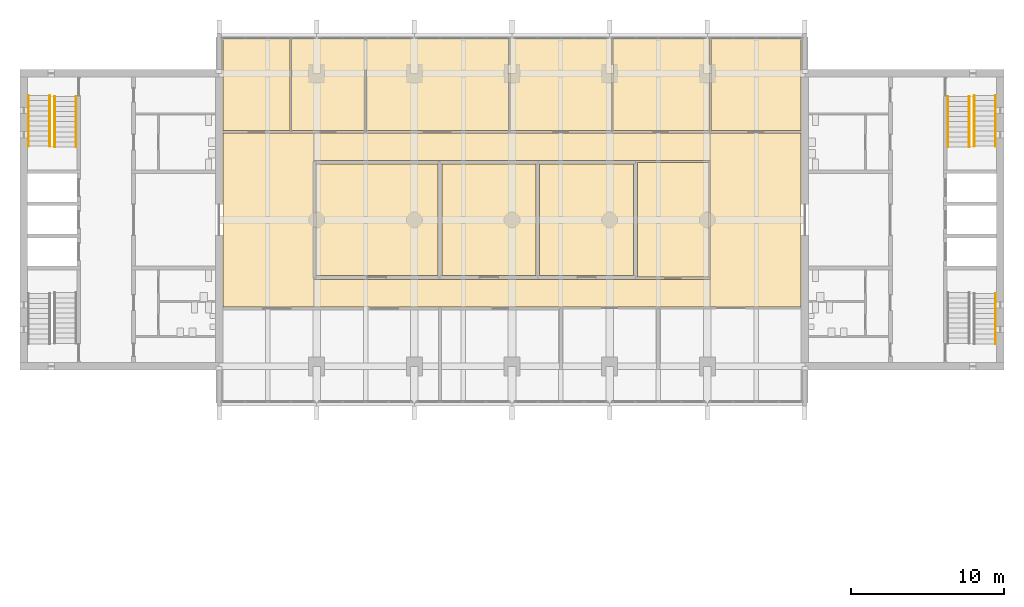
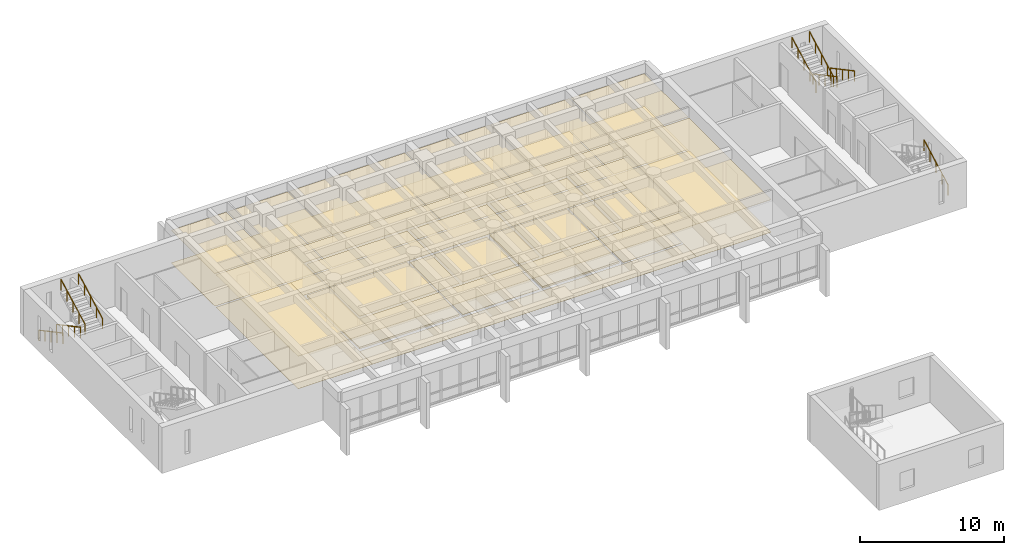
# One storey, part 18 of 19: 28 coverings, 9 railings.
"""IFC4 building model written with IfcOpenShell, lengths in metres."""

from ifc_helpers import new_model, si_unit, direction, frame, origin, origin_2d, place, context, subcontext, project, spatial, polyline, circle, outline, extrude, material, layer, layer_set, type_object, element, save


model = new_model("IFC4")

# Units and contexts
model_context = context("Model", 3, precision=1e-05, world=origin(), true_north=direction((0.0, 1.0)))
body_context = subcontext(model_context, "Body", "Model", "MODEL_VIEW")
ifc_project = project(units=[si_unit("LENGTHUNIT", "METRE"), si_unit("AREAUNIT", "SQUARE_METRE"), si_unit("VOLUMEUNIT", "CUBIC_METRE"), si_unit("PLANEANGLEUNIT", "RADIAN"), si_unit("MASSUNIT", "GRAM", prefix="KILO")], contexts=[model_context])

# Site, building, storey
site_placement = place(None, origin())
site = spatial("IfcSite", under=ifc_project, at=site_placement, CompositionType="ELEMENT")
building_placement = place(site_placement, origin())
building = spatial("IfcBuilding", under=site, at=building_placement, Name="Fogon Plaza Fire Station and Headquarters Tower", CompositionType="ELEMENT")
storey_placement = place(building_placement, frame((0.0, 0.0, 21.0)))
storey = spatial("IfcBuildingStorey", under=building, at=storey_placement, Name="L05", CompositionType="ELEMENT", Elevation=21.0)

# Railings
ifc_material_1 = material(Name="Steel", Category="steel")
railing_type = type_object("IfcRailingType", Name="Stair Handrail 900", PredefinedType="HANDRAIL", material=ifc_material_1)
for number, where, name in (
    (1, (13.10009765625, 51.340087890625, 0.17724609375), "Handrail ST2"),
    (2, (14.5, 51.340087890625, 0.17724609375), "Handrail ST2"),
):
    element("IfcRailing", number, at=place(storey_placement, frame(where)), inside=storey, type_object=railing_type, Name=name, PredefinedType="HANDRAIL", context=body_context, shape_type="SweptSolid", body=[
        extrude(circle(Radius=0.02392578125, at=origin_2d()), frame((0.0, 0.0, 0.8759765625), z_axis=(0.0, -0.881843677922, 0.471541862095), x_axis=(1.0, 0.0, 0.0)), (0.0, 0.0, 1.0), 3.75927734375),
        extrude(circle(Radius=0.02099609375, at=origin_2d()), origin(), (0.0, 0.0, 1.0), 0.851806640625),
        extrude(circle(Radius=0.02099609375, at=origin_2d()), frame((0.0, -0.828857421875, 0.443115234375)), (0.0, 0.0, 1.0), 0.851806640625),
        extrude(circle(Radius=0.02099609375, at=origin_2d()), frame((0.0, -1.65771484375, 0.88623046875)), (0.0, 0.0, 1.0), 0.851806640625),
        extrude(circle(Radius=0.02099609375, at=origin_2d()), frame((0.0, -2.486328125, 1.32958984375)), (0.0, 0.0, 1.0), 0.851806640625),
        extrude(circle(Radius=0.02099609375, at=origin_2d()), frame((0.0, -3.315185546875, 1.772705078125)), (0.0, 0.0, 1.0), 0.851806640625),
    ])
for number, where, name in (
    (3, (16.22509765625, 47.97509765625, 2.127197265625), "Handrail ST2"),
    (4, (14.824951171875, 47.97509765625, 2.127197265625), "Handrail ST2"),
    (5, (76.5, 35.06005859375, 0.17724609375), "Handrail ST3"),
):
    element("IfcRailing", number, at=place(storey_placement, frame(where)), inside=storey, type_object=railing_type, Name=name, PredefinedType="HANDRAIL", context=body_context, shape_type="SweptSolid", body=[
        extrude(circle(Radius=0.02392578125, at=origin_2d()), frame((0.0, 0.0, 0.8759765625), z_axis=(0.0, 0.881829236777, 0.471568867892), x_axis=(-1.0, 0.0, 0.0)), (0.0, 0.0, 1.0), 3.75927734375),
        extrude(circle(Radius=0.02099609375, at=origin_2d()), origin(), (0.0, 0.0, 1.0), 0.851806640625),
        extrude(circle(Radius=0.02099609375, at=origin_2d()), frame((0.0, 0.82861328125, 0.443115234375)), (0.0, 0.0, 1.0), 0.851806640625),
        extrude(circle(Radius=0.02099609375, at=origin_2d()), frame((0.0, 1.657470703125, 0.88623046875)), (0.0, 0.0, 1.0), 0.851806640625),
        extrude(circle(Radius=0.02099609375, at=origin_2d()), frame((0.0, 2.486328125, 1.32958984375)), (0.0, 0.0, 1.0), 0.851806640625),
        extrude(circle(Radius=0.02099609375, at=origin_2d()), frame((0.0, 3.31494140625, 1.772705078125)), (0.0, 0.0, 1.0), 0.851806640625),
    ])
for number, where, name in (
    (6, (76.5, 51.340087890625, 0.17724609375), "Handrail ST4"),
    (7, (75.10009765625, 51.340087890625, 0.17724609375), "Handrail ST4"),
):
    element("IfcRailing", number, at=place(storey_placement, frame(where)), inside=storey, type_object=railing_type, Name=name, PredefinedType="HANDRAIL", context=body_context, shape_type="SweptSolid", body=[
        extrude(circle(Radius=0.02392578125, at=origin_2d()), frame((0.0, 0.0, 0.8759765625), z_axis=(0.0, -0.881843677922, 0.471541862095), x_axis=(1.0, 0.0, 0.0)), (0.0, 0.0, 1.0), 3.75927734375),
        extrude(circle(Radius=0.02099609375, at=origin_2d()), origin(), (0.0, 0.0, 1.0), 0.851806640625),
        extrude(circle(Radius=0.02099609375, at=origin_2d()), frame((0.0, -0.828857421875, 0.443115234375)), (0.0, 0.0, 1.0), 0.851806640625),
        extrude(circle(Radius=0.02099609375, at=origin_2d()), frame((0.0, -1.65771484375, 0.88623046875)), (0.0, 0.0, 1.0), 0.851806640625),
        extrude(circle(Radius=0.02099609375, at=origin_2d()), frame((0.0, -2.486328125, 1.32958984375)), (0.0, 0.0, 1.0), 0.851806640625),
        extrude(circle(Radius=0.02099609375, at=origin_2d()), frame((0.0, -3.315185546875, 1.772705078125)), (0.0, 0.0, 1.0), 0.851806640625),
    ])
for number, where, name in (
    (8, (73.375, 47.97509765625, 2.127197265625), "Handrail ST4"),
    (9, (74.77490234375, 47.97509765625, 2.127197265625), "Handrail ST4"),
):
    element("IfcRailing", number, at=place(storey_placement, frame(where)), inside=storey, type_object=railing_type, Name=name, PredefinedType="HANDRAIL", context=body_context, shape_type="SweptSolid", body=[
        extrude(circle(Radius=0.02392578125, at=origin_2d()), frame((0.0, 0.0, 0.8759765625), z_axis=(0.0, 0.881829236777, 0.471568867892), x_axis=(-1.0, 0.0, 0.0)), (0.0, 0.0, 1.0), 3.75927734375),
        extrude(circle(Radius=0.02099609375, at=origin_2d()), origin(), (0.0, 0.0, 1.0), 0.851806640625),
        extrude(circle(Radius=0.02099609375, at=origin_2d()), frame((0.0, 0.82861328125, 0.443115234375)), (0.0, 0.0, 1.0), 0.851806640625),
        extrude(circle(Radius=0.02099609375, at=origin_2d()), frame((0.0, 1.657470703125, 0.88623046875)), (0.0, 0.0, 1.0), 0.851806640625),
        extrude(circle(Radius=0.02099609375, at=origin_2d()), frame((0.0, 2.486328125, 1.32958984375)), (0.0, 0.0, 1.0), 0.851806640625),
        extrude(circle(Radius=0.02099609375, at=origin_2d()), frame((0.0, 3.31494140625, 1.772705078125)), (0.0, 0.0, 1.0), 0.851806640625),
    ])

# Coverings
ifc_material_2 = material(Name="Acoustic ceiling tile")
ifc_layer_1 = layer(ifc_material_2, 0.050048828125)
ifc_layer_set_1 = layer_set([ifc_layer_1], Name="Acoustic ceiling tile")
covering_type_1 = type_object("IfcCoveringType", Name="Tower acoustic ceiling", PredefinedType="CEILING", material=ifc_layer_set_1)
covering_1_placement = place(storey_placement, frame((0.0, 0.0, 2.72998046875)))
element("IfcCovering", 10, at=covering_1_placement, inside=storey, type_object=covering_type_1, Name="cov-cl-L05-12", PredefinedType="CEILING", context=body_context, shape_type="SweptSolid", body=[
    extrude(outline(polyline([(51.342529296875, 49.050048828125), (51.342529296875, 55.10009765625), (44.657470703125, 55.10009765625), (44.657470703125, 49.050048828125), (51.342529296875, 49.050048828125)])), origin(), (0.0, 0.0, 1.0), 0.050048828125),
])
ifc_material_3 = material(Name="Carpet tile")
ifc_layer_2 = layer(ifc_material_3, 0.011962890625)
ifc_layer_set_2 = layer_set([ifc_layer_2], Name="Carpet tile")
covering_type_2 = type_object("IfcCoveringType", Name="Tower carpet tile floor", PredefinedType="FLOORING", material=ifc_layer_set_2)
covering_2_placement = place(storey_placement, origin())
element("IfcCovering", 11, at=covering_2_placement, inside=storey, type_object=covering_type_2, Name="cov-fl-L05-09", PredefinedType="FLOORING", context=body_context, shape_type="SweptSolid", body=[
    extrude(outline(polyline([(30.260009765625, 49.050048828125), (30.260009765625, 55.10009765625), (25.85009765625, 55.10009765625), (25.85009765625, 49.050048828125), (30.260009765625, 49.050048828125)])), origin(), (0.0, 0.0, 1.0), 0.011962890625),
])
covering_3_placement = place(storey_placement, origin())
element("IfcCovering", 12, at=covering_3_placement, inside=storey, type_object=covering_type_2, Name="cov-fl-L05-10", PredefinedType="FLOORING", context=body_context, shape_type="SweptSolid", body=[
    extrude(outline(polyline([(35.14990234375, 49.050048828125), (35.14990234375, 55.10009765625), (30.360107421875, 55.10009765625), (30.360107421875, 49.050048828125), (35.14990234375, 49.050048828125)])), origin(), (0.0, 0.0, 1.0), 0.011962890625),
])
covering_4_placement = place(storey_placement, origin())
element("IfcCovering", 13, at=covering_4_placement, inside=storey, type_object=covering_type_2, Name="cov-fl-L05-11", PredefinedType="FLOORING", context=body_context, shape_type="SweptSolid", body=[
    extrude(outline(polyline([(44.58251953125, 49.050048828125), (44.58251953125, 55.10009765625), (35.25, 55.10009765625), (35.25, 49.050048828125), (44.58251953125, 49.050048828125)])), origin(), (0.0, 0.0, 1.0), 0.011962890625),
])
covering_5_placement = place(storey_placement, origin())
element("IfcCovering", 14, at=covering_5_placement, inside=storey, type_object=covering_type_2, Name="cov-fl-L05-12", PredefinedType="FLOORING", context=body_context, shape_type="SweptSolid", body=[
    extrude(outline(polyline([(51.342529296875, 49.050048828125), (51.342529296875, 55.10009765625), (44.657470703125, 55.10009765625), (44.657470703125, 49.050048828125), (51.342529296875, 49.050048828125)])), origin(), (0.0, 0.0, 1.0), 0.011962890625),
])
covering_6_placement = place(storey_placement, origin())
element("IfcCovering", 15, at=covering_6_placement, inside=storey, type_object=covering_type_2, Name="cov-fl-L05-13", PredefinedType="FLOORING", context=body_context, shape_type="SweptSolid", body=[
    extrude(outline(polyline([(57.72998046875, 49.050048828125), (57.72998046875, 55.10009765625), (51.41748046875, 55.10009765625), (51.41748046875, 49.050048828125), (57.72998046875, 49.050048828125)])), origin(), (0.0, 0.0, 1.0), 0.011962890625),
])
covering_7_placement = place(storey_placement, origin())
element("IfcCovering", 16, at=covering_7_placement, inside=storey, type_object=covering_type_2, Name="cov-fl-L05-14", PredefinedType="FLOORING", context=body_context, shape_type="SweptSolid", body=[
    extrude(outline(polyline([(63.75, 49.050048828125), (63.75, 55.10009765625), (57.830078125, 55.10009765625), (57.830078125, 49.050048828125), (63.75, 49.050048828125)])), origin(), (0.0, 0.0, 1.0), 0.011962890625),
])
ifc_material_4 = material(Name="Heavy duty carpet tile")
ifc_layer_3 = layer(ifc_material_4, 0.013916015625)
ifc_layer_set_3 = layer_set([ifc_layer_3], Name="Heavy duty carpet tile")
covering_type_3 = type_object("IfcCoveringType", Name="Tower corridor carpet floor", PredefinedType="FLOORING", material=ifc_layer_set_3)
covering_8_placement = place(storey_placement, origin())
element("IfcCovering", 17, at=covering_8_placement, inside=storey, type_object=covering_type_3, Name="cov-fl-L05-15", PredefinedType="FLOORING", context=body_context, shape_type="SweptSolid", body=[
    extrude(outline(polyline([(57.780029296875, 37.5), (57.780029296875, 39.300048828125), (31.820068359375, 39.300048828125), (31.820068359375, 37.5), (57.780029296875, 37.5)])), origin(), (0.0, 0.0, 1.0), 0.013916015625),
])
covering_9_placement = place(storey_placement, origin())
element("IfcCovering", 18, at=covering_9_placement, inside=storey, type_object=covering_type_3, Name="cov-fl-L05-16", PredefinedType="FLOORING", context=body_context, shape_type="SweptSolid", body=[
    extrude(outline(polyline([(57.780029296875, 47.10009765625), (57.780029296875, 48.89990234375), (31.820068359375, 48.89990234375), (31.820068359375, 47.10009765625), (57.780029296875, 47.10009765625)])), origin(), (0.0, 0.0, 1.0), 0.013916015625),
])
covering_10_placement = place(storey_placement, origin())
element("IfcCovering", 19, at=covering_10_placement, inside=storey, type_object=covering_type_3, Name="cov-fl-L05-17", PredefinedType="FLOORING", context=body_context, shape_type="SweptSolid", body=[
    extrude(outline(polyline([(31.820068359375, 37.5), (31.820068359375, 48.89990234375), (25.85009765625, 48.89990234375), (25.85009765625, 37.5), (31.820068359375, 37.5)])), origin(), (0.0, 0.0, 1.0), 0.013916015625),
])
covering_11_placement = place(storey_placement, origin())
element("IfcCovering", 20, at=covering_11_placement, inside=storey, type_object=covering_type_3, Name="cov-fl-L05-18", PredefinedType="FLOORING", context=body_context, shape_type="SweptSolid", body=[
    extrude(outline(polyline([(63.75, 37.5), (63.75, 48.89990234375), (57.780029296875, 48.89990234375), (57.780029296875, 37.5), (63.75, 37.5)])), origin(), (0.0, 0.0, 1.0), 0.013916015625),
])
ifc_material_5 = material(Name="Moisture resistant plasterboard ceiling")
ifc_layer_4 = layer(ifc_material_5, 0.034912109375)
ifc_layer_set_4 = layer_set([ifc_layer_4], Name="Moisture resistant plasterboard ceiling")
covering_type_4 = type_object("IfcCoveringType", Name="Tower moisture resistant ceiling", PredefinedType="CEILING", material=ifc_layer_set_4)
covering_12_placement = place(storey_placement, frame((0.0, 0.0, 2.7451171875)))
element("IfcCovering", 21, at=covering_12_placement, inside=storey, type_object=covering_type_4, Name="cov-cl-L05-05", PredefinedType="CEILING", context=body_context, shape_type="SweptSolid", body=[
    extrude(outline(polyline([(39.965087890625, 39.550048828125), (39.965087890625, 46.85009765625), (31.945068359375, 46.85009765625), (31.945068359375, 39.550048828125), (39.965087890625, 39.550048828125)])), origin(), (0.0, 0.0, 1.0), 0.034912109375),
])
covering_13_placement = place(storey_placement, frame((0.0, 0.0, 2.7451171875)))
element("IfcCovering", 22, at=covering_13_placement, inside=storey, type_object=covering_type_4, Name="cov-cl-L05-06", PredefinedType="CEILING", context=body_context, shape_type="SweptSolid", body=[
    extrude(outline(polyline([(46.364990234375, 39.550048828125), (46.364990234375, 46.85009765625), (40.215087890625, 46.85009765625), (40.215087890625, 39.550048828125), (46.364990234375, 39.550048828125)])), origin(), (0.0, 0.0, 1.0), 0.034912109375),
])
covering_14_placement = place(storey_placement, frame((0.0, 0.0, 2.7451171875)))
element("IfcCovering", 23, at=covering_14_placement, inside=storey, type_object=covering_type_4, Name="cov-cl-L05-07", PredefinedType="CEILING", context=body_context, shape_type="SweptSolid", body=[
    extrude(outline(polyline([(52.764892578125, 39.550048828125), (52.764892578125, 46.85009765625), (46.614990234375, 46.85009765625), (46.614990234375, 39.550048828125), (52.764892578125, 39.550048828125)])), origin(), (0.0, 0.0, 1.0), 0.034912109375),
])
ifc_material_6 = material(Name="Plasterboard ceiling")
ifc_layer_5 = layer(ifc_material_6, 0.030029296875)
ifc_layer_set_5 = layer_set([ifc_layer_5], Name="Plasterboard ceiling")
covering_type_5 = type_object("IfcCoveringType", Name="Tower plasterboard ceiling", PredefinedType="CEILING", material=ifc_layer_set_5)
covering_15_placement = place(storey_placement, frame((0.0, 0.0, 2.75)))
element("IfcCovering", 24, at=covering_15_placement, inside=storey, type_object=covering_type_5, Name="cov-cl-L05-15", PredefinedType="CEILING", context=body_context, shape_type="SweptSolid", body=[
    extrude(outline(polyline([(57.780029296875, 37.5), (57.780029296875, 39.300048828125), (31.820068359375, 39.300048828125), (31.820068359375, 37.5), (57.780029296875, 37.5)])), origin(), (0.0, 0.0, 1.0), 0.030029296875),
])
covering_16_placement = place(storey_placement, frame((0.0, 0.0, 2.75)))
element("IfcCovering", 25, at=covering_16_placement, inside=storey, type_object=covering_type_5, Name="cov-cl-L05-16", PredefinedType="CEILING", context=body_context, shape_type="SweptSolid", body=[
    extrude(outline(polyline([(57.780029296875, 47.10009765625), (57.780029296875, 48.89990234375), (31.820068359375, 48.89990234375), (31.820068359375, 47.10009765625), (57.780029296875, 47.10009765625)])), origin(), (0.0, 0.0, 1.0), 0.030029296875),
])
covering_17_placement = place(storey_placement, frame((0.0, 0.0, 2.75)))
element("IfcCovering", 26, at=covering_17_placement, inside=storey, type_object=covering_type_5, Name="cov-cl-L05-17", PredefinedType="CEILING", context=body_context, shape_type="SweptSolid", body=[
    extrude(outline(polyline([(31.820068359375, 37.5), (31.820068359375, 48.89990234375), (25.85009765625, 48.89990234375), (25.85009765625, 37.5), (31.820068359375, 37.5)])), origin(), (0.0, 0.0, 1.0), 0.030029296875),
])
covering_18_placement = place(storey_placement, frame((0.0, 0.0, 2.75)))
element("IfcCovering", 27, at=covering_18_placement, inside=storey, type_object=covering_type_5, Name="cov-cl-L05-18", PredefinedType="CEILING", context=body_context, shape_type="SweptSolid", body=[
    extrude(outline(polyline([(63.75, 37.5), (63.75, 48.89990234375), (57.780029296875, 48.89990234375), (57.780029296875, 37.5), (63.75, 37.5)])), origin(), (0.0, 0.0, 1.0), 0.030029296875),
])
ifc_material_7 = material(Name="Raised access floor panels")
ifc_layer_6 = layer(ifc_material_7, 0.14990234375)
ifc_layer_set_6 = layer_set([ifc_layer_6], Name="Raised access floor panels")
covering_type_6 = type_object("IfcCoveringType", Name="Tower raised access floor", PredefinedType="FLOORING", material=ifc_layer_set_6)
covering_19_placement = place(storey_placement, origin())
element("IfcCovering", 28, at=covering_19_placement, inside=storey, type_object=covering_type_6, Name="cov-fl-L05-05", PredefinedType="FLOORING", context=body_context, shape_type="SweptSolid", body=[
    extrude(outline(polyline([(39.965087890625, 39.550048828125), (39.965087890625, 46.85009765625), (31.945068359375, 46.85009765625), (31.945068359375, 39.550048828125), (39.965087890625, 39.550048828125)])), origin(), (0.0, 0.0, 1.0), 0.14990234375),
])
covering_20_placement = place(storey_placement, origin())
element("IfcCovering", 29, at=covering_20_placement, inside=storey, type_object=covering_type_6, Name="cov-fl-L05-07", PredefinedType="FLOORING", context=body_context, shape_type="SweptSolid", body=[
    extrude(outline(polyline([(52.764892578125, 39.550048828125), (52.764892578125, 46.85009765625), (46.614990234375, 46.85009765625), (46.614990234375, 39.550048828125), (52.764892578125, 39.550048828125)])), origin(), (0.0, 0.0, 1.0), 0.14990234375),
])
ifc_material_8 = material(Name="Sealed cement screed")
ifc_layer_7 = layer(ifc_material_8, 0.030029296875)
ifc_layer_set_7 = layer_set([ifc_layer_7], Name="Sealed cement screed")
covering_type_7 = type_object("IfcCoveringType", Name="Tower sealed screed floor", PredefinedType="FLOORING", material=ifc_layer_set_7)
covering_21_placement = place(storey_placement, origin())
element("IfcCovering", 30, at=covering_21_placement, inside=storey, type_object=covering_type_7, Name="cov-fl-L05-06", PredefinedType="FLOORING", context=body_context, shape_type="SweptSolid", body=[
    extrude(outline(polyline([(46.364990234375, 39.550048828125), (46.364990234375, 46.85009765625), (40.215087890625, 46.85009765625), (40.215087890625, 39.550048828125), (46.364990234375, 39.550048828125)])), origin(), (0.0, 0.0, 1.0), 0.030029296875),
])
covering_22_placement = place(storey_placement, origin())
element("IfcCovering", 31, at=covering_22_placement, inside=storey, type_object=covering_type_7, Name="cov-fl-L05-08", PredefinedType="FLOORING", context=body_context, shape_type="SweptSolid", body=[
    extrude(outline(polyline([(57.705078125, 39.449951171875), (57.705078125, 46.949951171875), (53.014892578125, 46.949951171875), (53.014892578125, 39.449951171875), (57.705078125, 39.449951171875)])), origin(), (0.0, 0.0, 1.0), 0.030029296875),
])
ifc_material_9 = material(Name="Mineral fibre ceiling tile")
ifc_layer_8 = layer(ifc_material_9, 0.0400390625)
ifc_layer_set_8 = layer_set([ifc_layer_8], Name="Mineral fibre ceiling tile")
covering_type_8 = type_object("IfcCoveringType", Name="Tower suspended tile ceiling", PredefinedType="CEILING", material=ifc_layer_set_8)
covering_23_placement = place(storey_placement, frame((0.0, 0.0, 2.739990234375)))
element("IfcCovering", 32, at=covering_23_placement, inside=storey, type_object=covering_type_8, Name="cov-cl-L05-08", PredefinedType="CEILING", context=body_context, shape_type="SweptSolid", body=[
    extrude(outline(polyline([(57.705078125, 39.449951171875), (57.705078125, 46.949951171875), (53.014892578125, 46.949951171875), (53.014892578125, 39.449951171875), (57.705078125, 39.449951171875)])), origin(), (0.0, 0.0, 1.0), 0.0400390625),
])
covering_24_placement = place(storey_placement, frame((0.0, 0.0, 2.739990234375)))
element("IfcCovering", 33, at=covering_24_placement, inside=storey, type_object=covering_type_8, Name="cov-cl-L05-09", PredefinedType="CEILING", context=body_context, shape_type="SweptSolid", body=[
    extrude(outline(polyline([(30.260009765625, 49.050048828125), (30.260009765625, 55.10009765625), (25.85009765625, 55.10009765625), (25.85009765625, 49.050048828125), (30.260009765625, 49.050048828125)])), origin(), (0.0, 0.0, 1.0), 0.0400390625),
])
covering_25_placement = place(storey_placement, frame((0.0, 0.0, 2.739990234375)))
element("IfcCovering", 34, at=covering_25_placement, inside=storey, type_object=covering_type_8, Name="cov-cl-L05-10", PredefinedType="CEILING", context=body_context, shape_type="SweptSolid", body=[
    extrude(outline(polyline([(35.14990234375, 49.050048828125), (35.14990234375, 55.10009765625), (30.360107421875, 55.10009765625), (30.360107421875, 49.050048828125), (35.14990234375, 49.050048828125)])), origin(), (0.0, 0.0, 1.0), 0.0400390625),
])
covering_26_placement = place(storey_placement, frame((0.0, 0.0, 2.739990234375)))
element("IfcCovering", 35, at=covering_26_placement, inside=storey, type_object=covering_type_8, Name="cov-cl-L05-11", PredefinedType="CEILING", context=body_context, shape_type="SweptSolid", body=[
    extrude(outline(polyline([(44.58251953125, 49.050048828125), (44.58251953125, 55.10009765625), (35.25, 55.10009765625), (35.25, 49.050048828125), (44.58251953125, 49.050048828125)])), origin(), (0.0, 0.0, 1.0), 0.0400390625),
])
covering_27_placement = place(storey_placement, frame((0.0, 0.0, 2.739990234375)))
element("IfcCovering", 36, at=covering_27_placement, inside=storey, type_object=covering_type_8, Name="cov-cl-L05-13", PredefinedType="CEILING", context=body_context, shape_type="SweptSolid", body=[
    extrude(outline(polyline([(57.72998046875, 49.050048828125), (57.72998046875, 55.10009765625), (51.41748046875, 55.10009765625), (51.41748046875, 49.050048828125), (57.72998046875, 49.050048828125)])), origin(), (0.0, 0.0, 1.0), 0.0400390625),
])
covering_28_placement = place(storey_placement, frame((0.0, 0.0, 2.739990234375)))
element("IfcCovering", 37, at=covering_28_placement, inside=storey, type_object=covering_type_8, Name="cov-cl-L05-14", PredefinedType="CEILING", context=body_context, shape_type="SweptSolid", body=[
    extrude(outline(polyline([(63.75, 49.050048828125), (63.75, 55.10009765625), (57.830078125, 55.10009765625), (57.830078125, 49.050048828125), (63.75, 49.050048828125)])), origin(), (0.0, 0.0, 1.0), 0.0400390625),
])

save(model, "model.ifc")
